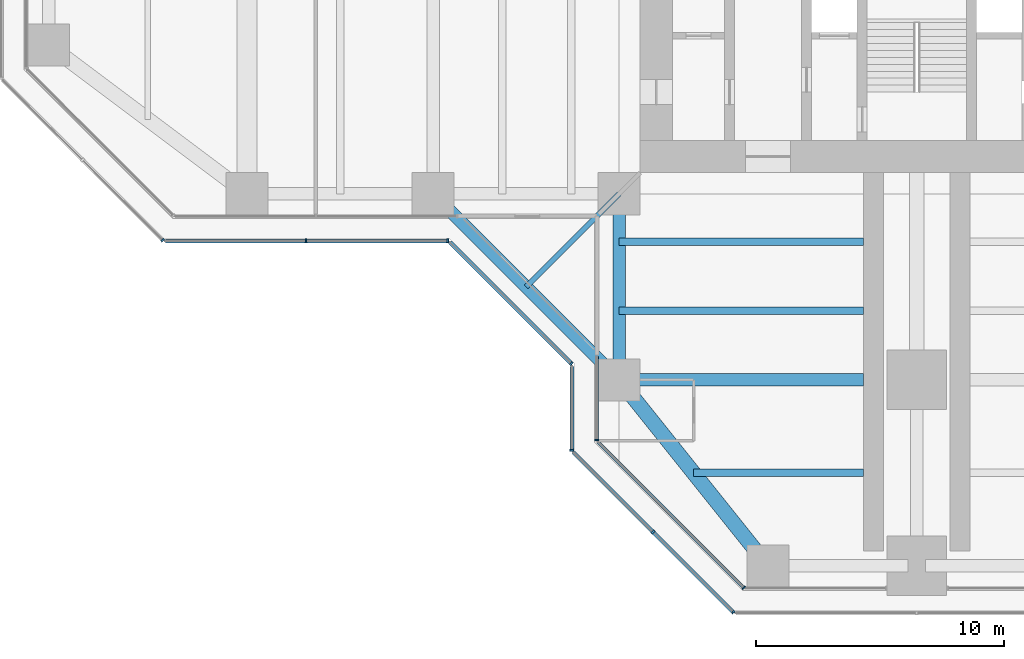
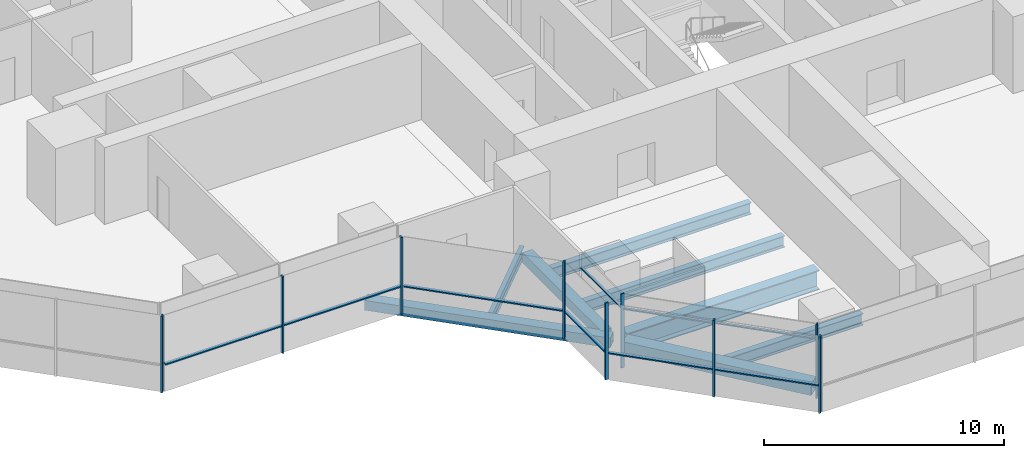
# One storey, part 2 of 19: 17 members, 8 beams, 7 elements without a shape of their own.
"""IFC4 building model written with IfcOpenShell, lengths in metres."""

from ifc_helpers import new_model, si_unit, direction, frame, origin, origin_2d, place, context, subcontext, project, spatial, rectangle, hollow_rectangle, i_section, extrude, material, material_profile, profile_set, type_object, element, aggregate, save


model = new_model("IFC4")

# Units and contexts
model_context = context("Model", 3, precision=1e-05, world=origin(), true_north=direction((0.0, 1.0)))
body_context = subcontext(model_context, "Body", "Model", "MODEL_VIEW")
ifc_project = project(units=[si_unit("LENGTHUNIT", "METRE"), si_unit("AREAUNIT", "SQUARE_METRE"), si_unit("VOLUMEUNIT", "CUBIC_METRE"), si_unit("PLANEANGLEUNIT", "RADIAN"), si_unit("MASSUNIT", "GRAM", prefix="KILO")], contexts=[model_context])

# Site, building, storey
site_placement = place(None, origin())
site = spatial("IfcSite", under=ifc_project, at=site_placement, CompositionType="ELEMENT")
building_placement = place(site_placement, origin())
building = spatial("IfcBuilding", under=site, at=building_placement, Name="Mizan Broadcast Tower", CompositionType="ELEMENT")
storey_placement = place(building_placement, frame((0.0, 0.0, 163.199951171875)))
storey = spatial("IfcBuildingStorey", under=building, at=storey_placement, Name="L37", CompositionType="ELEMENT", Elevation=163.199951171875)

# Beams
ifc_material_1 = material(Name="Steel S355", Category="steel")
ifc_material_profile_1 = material_profile(ifc_material_1, hollow_rectangle(XDim=0.5, YDim=0.5, WallThickness=0.030029296875, at=origin_2d()), Name="BOX 500x500x30")
ifc_profile_set_1 = profile_set([ifc_material_profile_1], Name="Steel S355")
beam_type_1 = type_object("IfcBeamType", Name="EDGE BEAM BOX 500x500x30", PredefinedType="SPANDREL", material=ifc_profile_set_1)
beam_1_placement = place(storey_placement, frame((-12.0, -12.449951171875, -0.3798828125), z_axis=(0.0, -1.0, 0.0), x_axis=(1.0, 0.0, 0.0)))
element("IfcBeam", 1, at=beam_1_placement, inside=storey, type_object=beam_type_1, Name="Edge beam BOX 500x500x30 L37 south arm", PredefinedType="SPANDREL", context=body_context, shape_type="SweptSolid", body=[
    extrude(hollow_rectangle(XDim=0.5, YDim=0.5, WallThickness=0.030029296875, at=origin_2d()), origin(), (0.0, 0.0, 1.0), 6.60009765625),
])
beam_2_placement = place(storey_placement, frame((-19.5, -12.0, -0.3798828125), z_axis=(0.707106781187, -0.707106781187, 0.0), x_axis=(0.707106781187, 0.707106781187, 0.0)))
element("IfcBeam", 2, at=beam_2_placement, inside=storey, type_object=beam_type_1, Name="Winter garden edge beam L37 W", PredefinedType="SPANDREL", context=body_context, shape_type="SweptSolid", body=[
    extrude(hollow_rectangle(XDim=0.5, YDim=0.5, WallThickness=0.030029296875, at=origin_2d()), origin(), (0.0, 0.0, 1.0), 10.606689453125),
])
ifc_material_2 = material(Name="Steel S355", Category="steel")
ifc_material_profile_2 = material_profile(ifc_material_2, hollow_rectangle(XDim=0.60009765625, YDim=0.60009765625, WallThickness=0.030029296875, at=origin_2d()), Name="BOX 600x600x30")
ifc_profile_set_2 = profile_set([ifc_material_profile_2], Name="Steel S355")
beam_type_2 = type_object("IfcBeamType", Name="EDGE BEAM BOX 600x600x30", PredefinedType="SPANDREL", material=ifc_profile_set_2)
beam_3_placement = place(storey_placement, frame((-11.639892578125, -19.949951171875, -0.429931640625), z_axis=(0.624673911726, -0.780885717636, 0.0), x_axis=(0.780885717636, 0.624673911726, 0.0)))
element("IfcBeam", 3, at=beam_3_placement, inside=storey, type_object=beam_type_2, Name="Edge beam BOX 600x600x30 L37 south arm", PredefinedType="SPANDREL", context=body_context, shape_type="SweptSolid", body=[
    extrude(hollow_rectangle(XDim=0.60009765625, YDim=0.60009765625, WallThickness=0.030029296875, at=origin_2d()), origin(), (0.0, 0.0, 1.0), 8.4521484375),
])
ifc_material_3 = material(Name="Steel S460", Category="steel")
ifc_material_profile_3 = material_profile(ifc_material_3, i_section(OverallWidth=0.5, OverallDepth=1.0, WebThickness=0.02490234375, FlangeThickness=0.050048828125, at=origin_2d()), Name="WPG 1000x500")
ifc_profile_set_3 = profile_set([ifc_material_profile_3], Name="Steel S460")
beam_type_3 = type_object("IfcBeamType", Name="GIRDER WPG 1000x500", PredefinedType="BEAM", material=ifc_profile_set_3)
beam_4_placement = place(storey_placement, frame((-11.408935546875, -19.5, -0.6298828125), z_axis=(1.0, 0.0, 0.0), x_axis=(0.0, 1.0, 0.0)))
element("IfcBeam", 4, at=beam_4_placement, inside=storey, type_object=beam_type_3, Name="Girder WPG 1000x500 L37 south arm", PredefinedType="BEAM", context=body_context, shape_type="SweptSolid", body=[
    extrude(i_section(OverallWidth=0.5, OverallDepth=1.0, WebThickness=0.02490234375, FlangeThickness=0.050048828125, at=origin_2d()), origin(), (0.0, 0.0, 1.0), 9.259033203125),
])

# Curtain wall, member
ifc_material_4 = material(Name="Aluminium framed glazing", Category="aluminium")
curtain_wall_type_1 = type_object("IfcCurtainWallType", Name="INNER SKIN MID ZONE", PredefinedType="USERDEFINED", material=ifc_material_4)
curtain_wall_1_placement = place(storey_placement, origin())
curtain_wall_1 = element("IfcCurtainWall", 5, at=curtain_wall_1_placement, inside=storey, type_object=curtain_wall_type_1, Name="Inner skin mid zone L37 S side", ObjectType="INNER SKIN MID ZONE", PredefinedType="USERDEFINED")
ifc_material_5 = material(Name="Aluminium, pale anodised", Category="aluminium")
ifc_material_profile_4 = material_profile(ifc_material_5, rectangle(XDim=0.159912109375, YDim=0.06005859375, at=origin_2d()), Name="MULLION 160x60")
ifc_profile_set_4 = profile_set([ifc_material_profile_4], Name="Aluminium, pale anodised")
member_type_1 = type_object("IfcMemberType", Name="INNER SKIN MULLION 60x160", PredefinedType="MULLION", material=ifc_profile_set_4)
member_1_placement = place(storey_placement, frame((-12.89990234375, -21.928466796875, 0.0), z_axis=(0.0, 0.0, 1.0), x_axis=(1.0, 0.0, 0.0)))
member_1 = element("IfcMember", 6, at=member_1_placement, type_object=member_type_1, Name="Inner skin mid zone L37 S side mullion 2", PredefinedType="MULLION", context=body_context, shape_type="SweptSolid", body=[
    extrude(rectangle(XDim=0.159912109375, YDim=0.06005859375, at=origin_2d()), origin(), (0.0, 0.0, 1.0), 3.77001953125),
])

curtain_wall_2_placement = place(storey_placement, origin())
curtain_wall_2 = element("IfcCurtainWall", 7, at=curtain_wall_2_placement, inside=storey, type_object=curtain_wall_type_1, Name="Inner skin mid zone L37 S chamfer", ObjectType="INNER SKIN MID ZONE", PredefinedType="USERDEFINED")
member_2_placement = place(storey_placement, frame((-6.979736328125, -27.87890625, 0.0), z_axis=(0.0, 0.0, 1.0), x_axis=(0.707106781187, 0.707106781187, 0.0)))
member_2 = element("IfcMember", 8, at=member_2_placement, type_object=member_type_1, Name="Inner skin mid zone L37 S chamfer mullion 2", PredefinedType="MULLION", context=body_context, shape_type="SweptSolid", body=[
    extrude(rectangle(XDim=0.159912109375, YDim=0.06005859375, at=origin_2d()), origin(), (0.0, 0.0, 1.0), 3.77001953125),
])

# Member
ifc_material_6 = material(Name="Aluminium, pale anodised", Category="aluminium")
ifc_material_profile_5 = material_profile(ifc_material_6, rectangle(XDim=0.1201171875, YDim=0.06005859375, at=origin_2d()), Name="TRANSOM 120x60")
ifc_profile_set_5 = profile_set([ifc_material_profile_5], Name="Aluminium, pale anodised")
member_type_2 = type_object("IfcMemberType", Name="INNER SKIN TRANSOM 60x120", PredefinedType="USERDEFINED", material=ifc_profile_set_5)
member_3_placement = place(storey_placement, frame((-12.89990234375, -18.56005859375, 3.030029296875), z_axis=(0.0, -1.0, 0.0), x_axis=(1.0, 0.0, 0.0)))
member_3 = element("IfcMember", 9, at=member_3_placement, type_object=member_type_2, Name="Inner skin mid zone L37 S side transom 1.1", ObjectType="TRANSOM", PredefinedType="USERDEFINED", context=body_context, shape_type="SweptSolid", body=[
    extrude(rectangle(XDim=0.1201171875, YDim=0.06005859375, at=origin_2d()), origin(), (0.0, 0.0, 1.0), 3.338623046875),
])

aggregate(curtain_wall_1, [member_1, member_3])

member_4_placement = place(storey_placement, frame((-12.857666015625, -22.0009765625, 3.030029296875), z_axis=(0.707106781187, -0.707106781187, 0.0), x_axis=(0.707106781187, 0.707106781187, 0.0)))
member_4 = element("IfcMember", 10, at=member_4_placement, type_object=member_type_2, Name="Inner skin mid zone L37 S chamfer transom 1.1", ObjectType="TRANSOM", PredefinedType="USERDEFINED", context=body_context, shape_type="SweptSolid", body=[
    extrude(rectangle(XDim=0.1201171875, YDim=0.06005859375, at=origin_2d()), origin(), (0.0, 0.0, 1.0), 8.28271484375),
])

aggregate(curtain_wall_2, [member_2, member_4])

# Curtain wall, member
ifc_material_7 = material(Name="Aluminium framed glazing", Category="aluminium")
curtain_wall_type_2 = type_object("IfcCurtainWallType", Name="OUTER SKIN", PredefinedType="USERDEFINED", material=ifc_material_7)
curtain_wall_3_placement = place(storey_placement, origin())
curtain_wall_3 = element("IfcCurtainWall", 11, at=curtain_wall_3_placement, inside=storey, type_object=curtain_wall_type_2, Name="Outer skin L37 W chamfer", ObjectType="OUTER SKIN", PredefinedType="USERDEFINED")
ifc_material_8 = material(Name="Aluminium, pale anodised", Category="aluminium")
ifc_material_profile_6 = material_profile(ifc_material_8, rectangle(XDim=0.159912109375, YDim=0.080078125, at=origin_2d()), Name="MULLION 160x80")
ifc_profile_set_6 = profile_set([ifc_material_profile_6], Name="Aluminium, pale anodised")
member_type_3 = type_object("IfcMemberType", Name="OUTER SKIN MULLION 80x160", PredefinedType="MULLION", material=ifc_profile_set_6)
member_5_placement = place(storey_placement, frame((-30.401123046875, -13.871826171875, 0.0), z_axis=(0.0, 0.0, 1.0), x_axis=(0.707106781187, 0.707106781187, 0.0)))
member_5 = element("IfcMember", 12, at=member_5_placement, type_object=member_type_3, Name="Outer skin L37 W chamfer mullion 3", PredefinedType="MULLION", context=body_context, shape_type="SweptSolid", body=[
    extrude(rectangle(XDim=0.159912109375, YDim=0.080078125, at=origin_2d()), origin(), (0.0, 0.0, 1.0), 3.900146484375),
])
aggregate(curtain_wall_3, [member_5])

# Curtain wall, members
curtain_wall_4_placement = place(storey_placement, origin())
curtain_wall_4 = element("IfcCurtainWall", 13, at=curtain_wall_4_placement, inside=storey, type_object=curtain_wall_type_2, Name="Outer skin L37 W side", ObjectType="OUTER SKIN", PredefinedType="USERDEFINED")
member_6_placement = place(storey_placement, frame((-24.622802734375, -13.89990234375, 0.0), z_axis=(0.0, 0.0, 1.0), x_axis=(0.0, 1.0, 0.0)))
member_6 = element("IfcMember", 14, at=member_6_placement, type_object=member_type_3, Name="Outer skin L37 W side mullion 2", PredefinedType="MULLION", context=body_context, shape_type="SweptSolid", body=[
    extrude(rectangle(XDim=0.159912109375, YDim=0.080078125, at=origin_2d()), origin(), (0.0, 0.0, 1.0), 3.900146484375),
])
member_7_placement = place(storey_placement, frame((-18.912841796875, -13.89990234375, 0.0), z_axis=(0.0, 0.0, 1.0), x_axis=(0.0, 1.0, 0.0)))
member_7 = element("IfcMember", 15, at=member_7_placement, type_object=member_type_3, Name="Outer skin L37 W side mullion 3", PredefinedType="MULLION", context=body_context, shape_type="SweptSolid", body=[
    extrude(rectangle(XDim=0.159912109375, YDim=0.080078125, at=origin_2d()), origin(), (0.0, 0.0, 1.0), 3.900146484375),
])

# Curtain wall, member
curtain_wall_5_placement = place(storey_placement, origin())
curtain_wall_5 = element("IfcCurtainWall", 16, at=curtain_wall_5_placement, inside=storey, type_object=curtain_wall_type_2, Name="Outer skin L37 W chamfer", ObjectType="OUTER SKIN", PredefinedType="USERDEFINED")
member_8_placement = place(storey_placement, frame((-13.92822265625, -18.844482421875, 0.0), z_axis=(0.0, 0.0, 1.0), x_axis=(0.707106781187, 0.707106781187, 0.0)))
member_8 = element("IfcMember", 17, at=member_8_placement, type_object=member_type_3, Name="Outer skin L37 W chamfer mullion 2", PredefinedType="MULLION", context=body_context, shape_type="SweptSolid", body=[
    extrude(rectangle(XDim=0.159912109375, YDim=0.080078125, at=origin_2d()), origin(), (0.0, 0.0, 1.0), 3.900146484375),
])

curtain_wall_6_placement = place(storey_placement, origin())
curtain_wall_6 = element("IfcCurtainWall", 18, at=curtain_wall_6_placement, inside=storey, type_object=curtain_wall_type_2, Name="Outer skin L37 S side", ObjectType="OUTER SKIN", PredefinedType="USERDEFINED")
member_9_placement = place(storey_placement, frame((-13.89990234375, -22.332763671875, 0.0), z_axis=(0.0, 0.0, 1.0), x_axis=(1.0, 0.0, 0.0)))
member_9 = element("IfcMember", 19, at=member_9_placement, type_object=member_type_3, Name="Outer skin L37 S side mullion 2", PredefinedType="MULLION", context=body_context, shape_type="SweptSolid", body=[
    extrude(rectangle(XDim=0.159912109375, YDim=0.080078125, at=origin_2d()), origin(), (0.0, 0.0, 1.0), 3.900146484375),
])

# Curtain wall, members
curtain_wall_7_placement = place(storey_placement, origin())
curtain_wall_7 = element("IfcCurtainWall", 20, at=curtain_wall_7_placement, inside=storey, type_object=curtain_wall_type_2, Name="Outer skin L37 S chamfer", ObjectType="OUTER SKIN", PredefinedType="USERDEFINED")
member_10_placement = place(storey_placement, frame((-10.636474609375, -25.636474609375, 0.0), z_axis=(0.0, 0.0, 1.0), x_axis=(0.707106781187, 0.707106781187, 0.0)))
member_10 = element("IfcMember", 21, at=member_10_placement, type_object=member_type_3, Name="Outer skin L37 S chamfer mullion 2", PredefinedType="MULLION", context=body_context, shape_type="SweptSolid", body=[
    extrude(rectangle(XDim=0.159912109375, YDim=0.080078125, at=origin_2d()), origin(), (0.0, 0.0, 1.0), 3.900146484375),
])
member_11_placement = place(storey_placement, frame((-7.401123046875, -28.871826171875, 0.0), z_axis=(0.0, 0.0, 1.0), x_axis=(0.707106781187, 0.707106781187, 0.0)))
member_11 = element("IfcMember", 22, at=member_11_placement, type_object=member_type_3, Name="Outer skin L37 S chamfer mullion 3", PredefinedType="MULLION", context=body_context, shape_type="SweptSolid", body=[
    extrude(rectangle(XDim=0.159912109375, YDim=0.080078125, at=origin_2d()), origin(), (0.0, 0.0, 1.0), 3.900146484375),
])

# Member
ifc_material_9 = material(Name="Aluminium, pale anodised", Category="aluminium")
ifc_material_profile_7 = material_profile(ifc_material_9, rectangle(XDim=0.159912109375, YDim=0.06005859375, at=origin_2d()), Name="TRANSOM 160x60")
ifc_profile_set_7 = profile_set([ifc_material_profile_7], Name="Aluminium, pale anodised")
member_type_4 = type_object("IfcMemberType", Name="OUTER SKIN TRANSOM 60x160", PredefinedType="USERDEFINED", material=ifc_profile_set_7)
member_12_placement = place(storey_placement, frame((-30.292724609375, -13.89990234375, 1.400146484375), z_axis=(1.0, 0.0, 0.0), x_axis=(0.0, 1.0, 0.0)))
member_12 = element("IfcMember", 23, at=member_12_placement, type_object=member_type_4, Name="Outer skin L37 W side transom 1.1", ObjectType="TRANSOM", PredefinedType="USERDEFINED", context=body_context, shape_type="SweptSolid", body=[
    extrude(rectangle(XDim=0.159912109375, YDim=0.06005859375, at=origin_2d()), origin(), (0.0, 0.0, 1.0), 5.6298828125),
])

member_13_placement = place(storey_placement, frame((-24.582763671875, -13.89990234375, 1.400146484375), z_axis=(1.0, 0.0, 0.0), x_axis=(0.0, 1.0, 0.0)))
member_13 = element("IfcMember", 24, at=member_13_placement, type_object=member_type_4, Name="Outer skin L37 W side transom 2.1", ObjectType="TRANSOM", PredefinedType="USERDEFINED", context=body_context, shape_type="SweptSolid", body=[
    extrude(rectangle(XDim=0.159912109375, YDim=0.06005859375, at=origin_2d()), origin(), (0.0, 0.0, 1.0), 5.6298828125),
])

aggregate(curtain_wall_4, [member_6, member_7, member_12, member_13])

member_14_placement = place(storey_placement, frame((-18.816162109375, -13.95654296875, 1.400146484375), z_axis=(0.707106781187, -0.707106781187, 0.0), x_axis=(0.707106781187, 0.707106781187, 0.0)))
member_14 = element("IfcMember", 25, at=member_14_placement, type_object=member_type_4, Name="Outer skin L37 W chamfer transom 1.1", ObjectType="TRANSOM", PredefinedType="USERDEFINED", context=body_context, shape_type="SweptSolid", body=[
    extrude(rectangle(XDim=0.159912109375, YDim=0.06005859375, at=origin_2d()), origin(), (0.0, 0.0, 1.0), 6.87255859375),
])

aggregate(curtain_wall_5, [member_8, member_14])

member_15_placement = place(storey_placement, frame((-13.89990234375, -18.952880859375, 1.400146484375), z_axis=(0.0, -1.0, 0.0), x_axis=(1.0, 0.0, 0.0)))
member_15 = element("IfcMember", 26, at=member_15_placement, type_object=member_type_4, Name="Outer skin L37 S side transom 1.1", ObjectType="TRANSOM", PredefinedType="USERDEFINED", context=body_context, shape_type="SweptSolid", body=[
    extrude(rectangle(XDim=0.159912109375, YDim=0.06005859375, at=origin_2d()), origin(), (0.0, 0.0, 1.0), 3.33984375),
])

aggregate(curtain_wall_6, [member_9, member_15])

member_16_placement = place(storey_placement, frame((-13.843505859375, -22.429443359375, 1.400146484375), z_axis=(0.707106781187, -0.707106781187, 0.0), x_axis=(0.707106781187, 0.707106781187, 0.0)))
member_16 = element("IfcMember", 27, at=member_16_placement, type_object=member_type_4, Name="Outer skin L37 S chamfer transom 1.1", ObjectType="TRANSOM", PredefinedType="USERDEFINED", context=body_context, shape_type="SweptSolid", body=[
    extrude(rectangle(XDim=0.159912109375, YDim=0.06005859375, at=origin_2d()), origin(), (0.0, 0.0, 1.0), 4.495361328125),
])

member_17_placement = place(storey_placement, frame((-10.608154296875, -25.664794921875, 1.400146484375), z_axis=(0.707106781187, -0.707106781187, 0.0), x_axis=(0.707106781187, 0.707106781187, 0.0)))
member_17 = element("IfcMember", 28, at=member_17_placement, type_object=member_type_4, Name="Outer skin L37 S chamfer transom 2.1", ObjectType="TRANSOM", PredefinedType="USERDEFINED", context=body_context, shape_type="SweptSolid", body=[
    extrude(rectangle(XDim=0.159912109375, YDim=0.06005859375, at=origin_2d()), origin(), (0.0, 0.0, 1.0), 4.495361328125),
])

aggregate(curtain_wall_7, [member_10, member_11, member_16, member_17])

# Beams
ifc_material_10 = material(Name="Steel S355", Category="steel")
ifc_material_profile_8 = material_profile(ifc_material_10, i_section(OverallWidth=0.300048828125, OverallDepth=0.590087890625, WebThickness=0.012939453125, FlangeThickness=0.02490234375, FilletRadius=0.027099609375, at=origin_2d()), Name="HEA 600")
ifc_profile_set_8 = profile_set([ifc_material_profile_8], Name="Steel S355")
beam_type_4 = type_object("IfcBeamType", Name="SECONDARY BEAM HEA 600", PredefinedType="JOIST", material=ifc_profile_set_8)
for number, where, z_axis, x_axis, name in (
    (29, (-12.0, -13.933349609375, -0.425048828125), (1.0, 0.0, 0.0), (0.0, 1.0, 0.0), "Secondary beam HEA 600 L37 south arm"),
    (30, (-12.0, -16.716552734375, -0.425048828125), (1.0, 0.0, 0.0), (0.0, 1.0, 0.0), "Secondary beam HEA 600 L37 south arm"),
):
    element("IfcBeam", number, at=place(storey_placement, frame(where, z_axis=z_axis, x_axis=x_axis)), inside=storey, type_object=beam_type_4, Name=name, PredefinedType="JOIST", context=body_context, shape_type="SweptSolid", body=[
        extrude(i_section(OverallWidth=0.300048828125, OverallDepth=0.590087890625, WebThickness=0.012939453125, FlangeThickness=0.02490234375, FilletRadius=0.027099609375, at=origin_2d()), origin(), (0.0, 0.0, 1.0), 9.85009765625),
    ])
beam_5_placement = place(storey_placement, frame((-9.0, -23.25, -0.425048828125), z_axis=(1.0, 0.0, 0.0), x_axis=(0.0, 1.0, 0.0)))
element("IfcBeam", 31, at=beam_5_placement, inside=storey, type_object=beam_type_4, Name="Secondary beam HEA 600 L37 south arm", PredefinedType="JOIST", context=body_context, shape_type="SweptSolid", body=[
    extrude(i_section(OverallWidth=0.300048828125, OverallDepth=0.590087890625, WebThickness=0.012939453125, FlangeThickness=0.02490234375, FilletRadius=0.027099609375, at=origin_2d()), origin(), (0.0, 0.0, 1.0), 6.85009765625),
])
ifc_material_11 = material(Name="Steel S355", Category="steel")
ifc_material_profile_9 = material_profile(ifc_material_11, i_section(OverallWidth=0.2099609375, OverallDepth=0.550048828125, WebThickness=0.010986328125, FlangeThickness=0.01708984375, FilletRadius=0.02392578125, at=origin_2d()), Name="IPE 550")
ifc_profile_set_9 = profile_set([ifc_material_profile_9], Name="Steel S355")
beam_type_5 = type_object("IfcBeamType", Name="SECONDARY BEAM IPE 550", PredefinedType="JOIST", material=ifc_profile_set_9)
beam_6_placement = place(storey_placement, frame((-12.0, -12.0, -0.405029296875), z_axis=(-0.707106781187, -0.707106781187, 0.0), x_axis=(0.707106781187, -0.707106781187, 0.0)))
element("IfcBeam", 32, at=beam_6_placement, inside=storey, type_object=beam_type_5, Name="Winter garden beam L37 W", PredefinedType="JOIST", context=body_context, shape_type="SweptSolid", body=[
    extrude(i_section(OverallWidth=0.2099609375, OverallDepth=0.550048828125, WebThickness=0.010986328125, FlangeThickness=0.01708984375, FilletRadius=0.02392578125, at=origin_2d()), origin(), (0.0, 0.0, 1.0), 5.30322265625),
])

save(model, "model.ifc")
